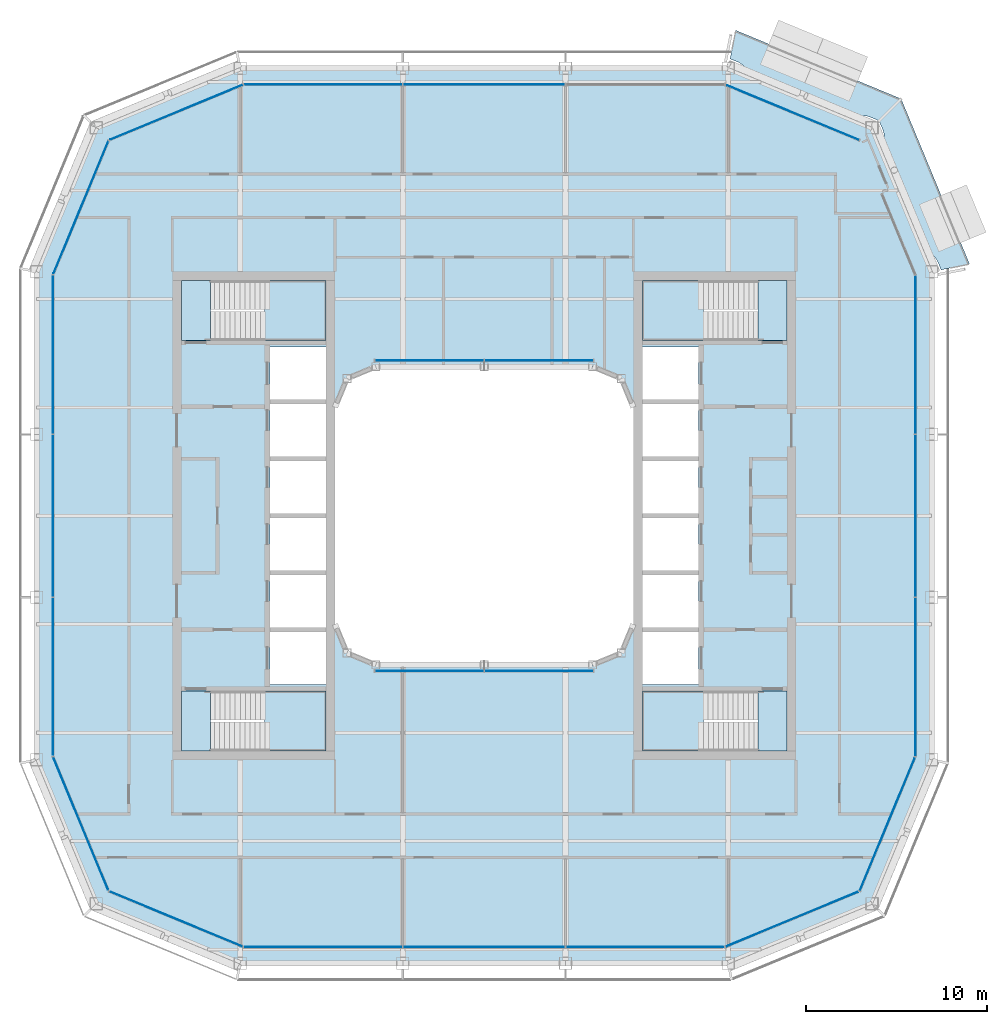
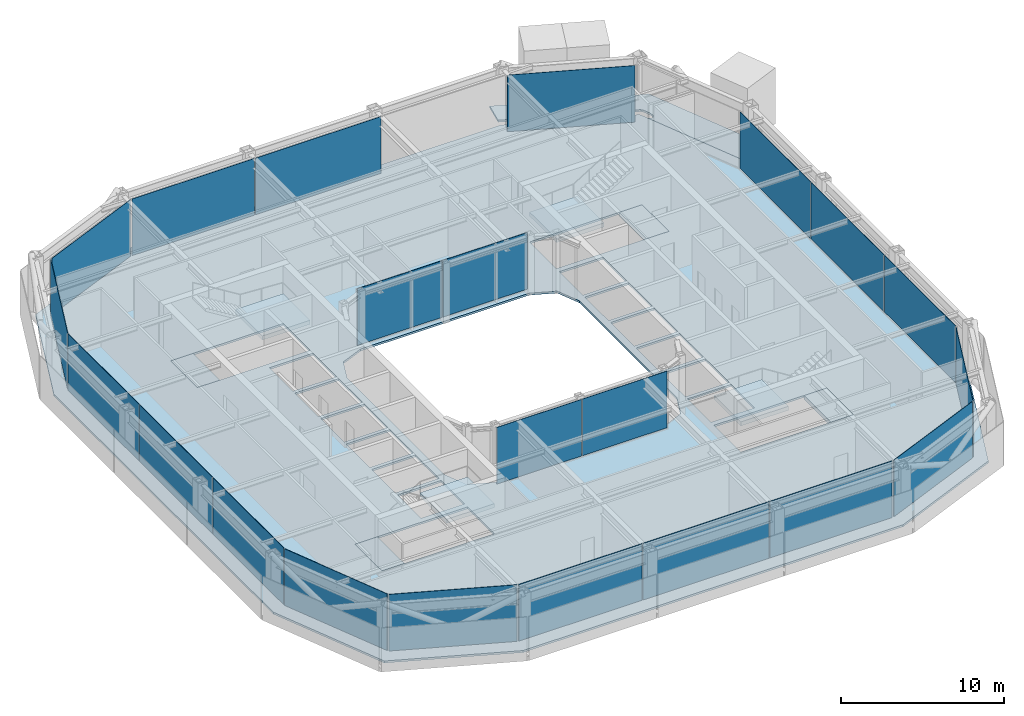
# One storey, part 10 of 21: 22 plates, 10 slabs, 17 elements without a shape of their own.
"""IFC4 building model written with IfcOpenShell, lengths in metres."""

import ifcopenshell
import ifcopenshell.guid

model = None  # the IFC model being written
_history = None  # IfcOwnerHistory: only IFC2X3 demands one
_inside = {}  # id of a spatial element -> (the spatial element, [elements in it])
_under = {}  # id of a project, library or spatial element -> (it, [spatial elements below it])
_declared = {}  # id of a project -> (the project, [libraries it declares])
_typed = {}  # id of a type object -> (the type object, [elements of that type])
_made_of = {}  # id of a material, layer set ... -> (it, [elements and type objects made of it])


def new_model(schema):
    """Start an empty IFC model of exactly this schema.

    Asked for "IFC4X3", IfcOpenShell would pick the latest addendum, in which some entities
    have other attributes; the version numbers below select the first issue.
    IFC2X3 requires an IfcOwnerHistory on every rooted entity: one is made here for all.
    """
    global model, _history
    if schema == "IFC4X3":
        model = ifcopenshell.file(schema_version=(4, 3, 0, 0))
    else:
        model = ifcopenshell.file(schema=schema)
    _inside.clear()
    _under.clear()
    _declared.clear()
    _typed.clear()
    _made_of.clear()
    _history = None
    if model.schema == "IFC2X3":
        org = make("IfcOrganization", Name="unknown")
        user = make(
            "IfcPersonAndOrganization",
            ThePerson=make("IfcPerson", FamilyName="unknown"),
            TheOrganization=org,
        )
        app = make(
            "IfcApplication",
            ApplicationDeveloper=org,
            Version="unknown",
            ApplicationFullName="unknown",
            ApplicationIdentifier="unknown",
        )
        _history = make(
            "IfcOwnerHistory",
            OwningUser=user,
            OwningApplication=app,
            ChangeAction="ADDED",
            CreationDate=0,
        )
    return model


def make(cls, **values):
    """One entity of the class cls with the attributes given. An attribute that is None is left unset."""
    return model.create_entity(
        cls, **{name: value for name, value in values.items() if value is not None}
    )


def rooted(cls, **values):
    """An entity with a GlobalId (a new one), such as an element, a storey or a relation."""
    return make(cls, GlobalId=ifcopenshell.guid.new(), OwnerHistory=_history, **values)


def si_unit(unit_type, name, prefix=None):
    """IfcSIUnit, for example si_unit("LENGTHUNIT", "METRE", prefix="MILLI")."""
    return make("IfcSIUnit", UnitType=unit_type, Prefix=prefix, Name=name)


def assignment(units):
    """IfcUnitAssignment: the units of a project."""
    return None if units is None else make("IfcUnitAssignment", Units=units)


def point(xyz):
    """IfcCartesianPoint."""
    return None if xyz is None else make("IfcCartesianPoint", Coordinates=xyz)


def direction(xyz):
    """IfcDirection."""
    return None if xyz is None else make("IfcDirection", DirectionRatios=xyz)


def frame(location, z_axis=None, x_axis=None):
    """IfcAxis2Placement3D, a coordinate frame: its origin and axes. An axis left out is left unset."""
    return make(
        "IfcAxis2Placement3D",
        Location=point(location),
        Axis=direction(z_axis),
        RefDirection=direction(x_axis),
    )


def frame_2d(location, x_axis=None):
    """IfcAxis2Placement2D, a coordinate frame in the plane: its origin and x axis."""
    return make(
        "IfcAxis2Placement2D", Location=point(location), RefDirection=direction(x_axis)
    )


def origin():
    """The frame at (0, 0, 0) with its axes left unset."""
    return frame((0.0, 0.0, 0.0))


def origin_2d():
    """The frame at (0, 0) in the plane with its x axis left unset."""
    return frame_2d((0.0, 0.0))


def place(relative_to, where):
    """IfcLocalPlacement: puts the frame where relative to a parent placement (None: the world)."""
    return make(
        "IfcLocalPlacement", PlacementRelTo=relative_to, RelativePlacement=where
    )


def context(
    kind, dimensions, precision=None, world=None, true_north=None, identifier=None
):
    """IfcGeometricRepresentationContext, for example the 3D "Model" context."""
    return make(
        "IfcGeometricRepresentationContext",
        ContextIdentifier=identifier,
        ContextType=kind,
        CoordinateSpaceDimension=dimensions,
        Precision=precision,
        WorldCoordinateSystem=world,
        TrueNorth=true_north,
    )


def subcontext(parent, identifier, kind, view, scale=None):
    """IfcGeometricRepresentationSubContext, for example "Body" below "Model"."""
    return make(
        "IfcGeometricRepresentationSubContext",
        ContextIdentifier=identifier,
        ContextType=kind,
        ParentContext=parent,
        TargetScale=scale,
        TargetView=view,
    )


def project(units=None, contexts=None):
    """IfcProject with its units and contexts."""
    return rooted(
        "IfcProject",
        Name="project",
        RepresentationContexts=contexts,
        UnitsInContext=assignment(units),
    )


def spatial(cls, under=None, at=None, **own):
    """A site, building, storey or space (cls), placed at a placement, below another one or the project."""
    s = rooted(cls, ObjectPlacement=at, **own)
    if under is not None:
        _under.setdefault(under.id(), (under, []))[1].append(s)
    return s


def polyline(points):
    """IfcPolyline through the points."""
    return make("IfcPolyline", Points=[point(p) for p in points])


def profile(cls, at=None, kind="AREA", **sizes):
    """A parametric profile (cls). Its sizes go by their IFC names, for example OverallWidth=200.0."""
    return make(cls, ProfileType=kind, Position=at, **sizes)


def rectangle(**sizes):
    """IfcRectangleProfileDef."""
    return profile("IfcRectangleProfileDef", **sizes)


def outline(outer, holes=None, kind="AREA"):
    """IfcArbitraryClosedProfileDef: a profile drawn as a closed curve; with holes, ...WithVoids."""
    if holes is None:
        return make("IfcArbitraryClosedProfileDef", ProfileType=kind, OuterCurve=outer)
    return make(
        "IfcArbitraryProfileDefWithVoids",
        ProfileType=kind,
        OuterCurve=outer,
        InnerCurves=holes,
    )


def extrude(swept, where, along, depth):
    """IfcExtrudedAreaSolid: the profile swept, set in the frame where, extruded along a direction by depth."""
    return make(
        "IfcExtrudedAreaSolid",
        SweptArea=swept,
        Position=where,
        ExtrudedDirection=direction(along),
        Depth=depth,
    )


def shape(context_of_items, identifier, shape_type, items):
    """IfcShapeRepresentation: the items that make up one representation, for example the "Body"."""
    return make(
        "IfcShapeRepresentation",
        ContextOfItems=context_of_items,
        RepresentationIdentifier=identifier,
        RepresentationType=shape_type,
        Items=items,
    )


def material(Name=None, Category=None):
    """IfcMaterial."""
    return make("IfcMaterial", Name=Name, Category=Category)


def layer(
    of_material, thickness, ventilated=None, Name=None, Category=None, Priority=None
):
    """IfcMaterialLayer: one layer of a wall or slab, of a material (None: an air gap)."""
    return make(
        "IfcMaterialLayer",
        Material=of_material,
        LayerThickness=thickness,
        IsVentilated=ventilated,
        Name=Name,
        Category=Category,
        Priority=Priority,
    )


def layer_set(layers, Name=None):
    """IfcMaterialLayerSet."""
    return make("IfcMaterialLayerSet", MaterialLayers=layers, LayerSetName=Name)


def made_of(thing, what):
    """Note that an element or type object is made of a material, layer set ...; save() writes the relation."""
    if what is not None:
        _made_of.setdefault(what.id(), (what, []))[1].append(thing)
    return thing


def type_object(cls, material=None, **own):
    """A type object (cls), such as IfcWallType, which elements share."""
    return made_of(rooted(cls, **own), material)


def element(
    cls,
    number,
    at=None,
    inside=None,
    cuts=None,
    type_object=None,
    material=None,
    context=None,
    identifier="Body",
    shape_type=None,
    held_by="IfcProductDefinitionShape",
    body=None,
    shapes=None,
    **own,
):
    """One element of the class cls, such as IfcWall. Its Tag is "e" and its number.

    at: its placement. inside: the storey or other place that contains it. cuts: it is an
    opening in that element (IfcRelVoidsElement). A single representation is given by context,
    identifier, shape_type and body (its items); several are given by shapes. held_by: the class
    of the entity that holds the representations. save() writes the other relations.
    """
    e = rooted(cls, Tag="e%d" % number, ObjectPlacement=at, **own)
    if body is not None:
        shapes = [shape(context, identifier, shape_type, body)]
    if shapes is not None:
        e.Representation = make(held_by, Representations=shapes)
    if inside is not None:
        _inside.setdefault(inside.id(), (inside, []))[1].append(e)
    if cuts is not None:
        rooted(
            "IfcRelVoidsElement", RelatingBuildingElement=cuts, RelatedOpeningElement=e
        )
    if type_object is not None:
        _typed.setdefault(type_object.id(), (type_object, []))[1].append(e)
    return made_of(e, material)


def aggregate(whole, parts):
    """IfcRelAggregates: a whole, such as a stair, and the parts it consists of."""
    return rooted("IfcRelAggregates", RelatingObject=whole, RelatedObjects=parts)


def save(model, path):
    """Write the relations noted so far, then the file.

    IfcRelAggregates (storeys below a building ...), IfcRelContainedInSpatialStructure (elements
    in a storey), IfcRelDefinesByType, IfcRelAssociatesMaterial and IfcRelDeclares: one each for
    every whole, place, type object, material and project.
    """
    for whole, parts in _under.values():
        aggregate(whole, parts)
    for where, things in _inside.values():
        rooted(
            "IfcRelContainedInSpatialStructure",
            RelatedElements=things,
            RelatingStructure=where,
        )
    for kind, things in _typed.values():
        rooted("IfcRelDefinesByType", RelatedObjects=things, RelatingType=kind)
    for what, things in _made_of.values():
        rooted("IfcRelAssociatesMaterial", RelatedObjects=things, RelatingMaterial=what)
    for by, libraries in _declared.values():
        rooted("IfcRelDeclares", RelatingContext=by, RelatedDefinitions=libraries)
    model.write(path)


model = new_model("IFC4")

# Units and contexts
model_context = context("Model", 3, precision=1e-05, world=origin(), true_north=direction((0.0, 1.0)))
body_context = subcontext(model_context, "Body", "Model", "MODEL_VIEW")
ifc_project = project(units=[si_unit("LENGTHUNIT", "METRE"), si_unit("AREAUNIT", "SQUARE_METRE"), si_unit("VOLUMEUNIT", "CUBIC_METRE"), si_unit("PLANEANGLEUNIT", "RADIAN"), si_unit("MASSUNIT", "GRAM", prefix="KILO")], contexts=[model_context])

# Site, building, storey
site_placement = place(None, origin())
site = spatial("IfcSite", under=ifc_project, at=site_placement, CompositionType="ELEMENT")
building_placement = place(site_placement, origin())
building = spatial("IfcBuilding", under=site, at=building_placement, Name="Siwar Civic Tower", CompositionType="ELEMENT")
storey_placement = place(building_placement, frame((0.0, 0.0, 325.699951171875)))
storey = spatial("IfcBuildingStorey", under=building, at=storey_placement, Name="L70", CompositionType="ELEMENT", Elevation=325.699951171875)

# Stair, slabs
ifc_material_1 = material(Name="Concrete C40/50", Category="concrete")
stair_type = type_object("IfcStairType", Name="CORE-STAIR", PredefinedType="TWO_STRAIGHT_RUN_STAIR", material=ifc_material_1)
stair_1_placement = place(storey_placement, origin())
stair_1 = element("IfcStair", 1, at=stair_1_placement, inside=storey, type_object=stair_type, Name="Exit stair ST1", PredefinedType="TWO_STRAIGHT_RUN_STAIR")
ifc_material_2 = material(Name="Concrete C40/50", Category="concrete")
ifc_layer_1 = layer(ifc_material_2, 0.300048828125)
ifc_layer_set_1 = layer_set([ifc_layer_1], Name="Concrete C40/50")
slab_type_1 = type_object("IfcSlabType", Name="CORE-STAIR-LANDING", PredefinedType="LANDING", material=ifc_layer_set_1)
slab_1_placement = place(storey_placement, frame((0.0, 0.0, -0.300048828125)))
slab_1 = element("IfcSlab", 2, at=slab_1_placement, type_object=slab_type_1, Name="ST1 landing 1", PredefinedType="LANDING", context=body_context, shape_type="SweptSolid", body=[
    extrude(outline(polyline([(-15.14990234375, 13.0), (-16.75, 13.0), (-16.75, 9.699951171875), (-15.14990234375, 9.699951171875), (-15.14990234375, 13.0)])), origin(), (0.0, 0.0, 1.0), 0.300048828125),
])
slab_2_placement = place(storey_placement, frame((0.0, 0.0, 1.949951171875)))
slab_2 = element("IfcSlab", 3, at=slab_2_placement, type_object=slab_type_1, Name="ST1 landing 2", PredefinedType="LANDING", context=body_context, shape_type="SweptSolid", body=[
    extrude(outline(polyline([(-8.75, 13.0), (-12.139892578125, 13.0), (-12.139892578125, 9.699951171875), (-8.75, 9.699951171875), (-8.75, 13.0)])), origin(), (0.0, 0.0, 1.0), 0.300048828125),
])
aggregate(stair_1, [slab_1, slab_2])

stair_2_placement = place(storey_placement, origin())
stair_2 = element("IfcStair", 4, at=stair_2_placement, inside=storey, type_object=stair_type, Name="Exit stair ST2", PredefinedType="TWO_STRAIGHT_RUN_STAIR")
slab_3_placement = place(storey_placement, frame((0.0, 0.0, -0.300048828125)))
slab_3 = element("IfcSlab", 5, at=slab_3_placement, type_object=slab_type_1, Name="ST2 landing 1", PredefinedType="LANDING", context=body_context, shape_type="SweptSolid", body=[
    extrude(outline(polyline([(-15.14990234375, -9.699951171875), (-16.75, -9.699951171875), (-16.75, -13.0), (-15.14990234375, -13.0), (-15.14990234375, -9.699951171875)])), origin(), (0.0, 0.0, 1.0), 0.300048828125),
])
slab_4_placement = place(storey_placement, frame((0.0, 0.0, 1.949951171875)))
slab_4 = element("IfcSlab", 6, at=slab_4_placement, type_object=slab_type_1, Name="ST2 landing 2", PredefinedType="LANDING", context=body_context, shape_type="SweptSolid", body=[
    extrude(outline(polyline([(-8.75, -9.699951171875), (-12.139892578125, -9.699951171875), (-12.139892578125, -13.0), (-8.75, -13.0), (-8.75, -9.699951171875)])), origin(), (0.0, 0.0, 1.0), 0.300048828125),
])
aggregate(stair_2, [slab_3, slab_4])

stair_3_placement = place(storey_placement, origin())
stair_3 = element("IfcStair", 7, at=stair_3_placement, inside=storey, type_object=stair_type, Name="Exit stair ST3", PredefinedType="TWO_STRAIGHT_RUN_STAIR")
slab_5_placement = place(storey_placement, frame((0.0, 0.0, -0.300048828125)))
slab_5 = element("IfcSlab", 8, at=slab_5_placement, type_object=slab_type_1, Name="ST3 landing 1", PredefinedType="LANDING", context=body_context, shape_type="SweptSolid", body=[
    extrude(outline(polyline([(15.14990234375, 9.699951171875), (16.75, 9.699951171875), (16.75, 13.0), (15.14990234375, 13.0), (15.14990234375, 9.699951171875)])), origin(), (0.0, 0.0, 1.0), 0.300048828125),
])
slab_6_placement = place(storey_placement, frame((0.0, 0.0, 1.949951171875)))
slab_6 = element("IfcSlab", 9, at=slab_6_placement, type_object=slab_type_1, Name="ST3 landing 2", PredefinedType="LANDING", context=body_context, shape_type="SweptSolid", body=[
    extrude(outline(polyline([(8.75, 9.699951171875), (12.139892578125, 9.699951171875), (12.139892578125, 13.0), (8.75, 13.0), (8.75, 9.699951171875)])), origin(), (0.0, 0.0, 1.0), 0.300048828125),
])
aggregate(stair_3, [slab_5, slab_6])

stair_4_placement = place(storey_placement, origin())
stair_4 = element("IfcStair", 10, at=stair_4_placement, inside=storey, type_object=stair_type, Name="Exit stair ST4", PredefinedType="TWO_STRAIGHT_RUN_STAIR")
slab_7_placement = place(storey_placement, frame((0.0, 0.0, -0.300048828125)))
slab_7 = element("IfcSlab", 11, at=slab_7_placement, type_object=slab_type_1, Name="ST4 landing 1", PredefinedType="LANDING", context=body_context, shape_type="SweptSolid", body=[
    extrude(outline(polyline([(15.14990234375, -13.0), (16.75, -13.0), (16.75, -9.699951171875), (15.14990234375, -9.699951171875), (15.14990234375, -13.0)])), origin(), (0.0, 0.0, 1.0), 0.300048828125),
])
slab_8_placement = place(storey_placement, frame((0.0, 0.0, 1.949951171875)))
slab_8 = element("IfcSlab", 12, at=slab_8_placement, type_object=slab_type_1, Name="ST4 landing 2", PredefinedType="LANDING", context=body_context, shape_type="SweptSolid", body=[
    extrude(outline(polyline([(8.75, -13.0), (12.139892578125, -13.0), (12.139892578125, -9.699951171875), (8.75, -9.699951171875), (8.75, -13.0)])), origin(), (0.0, 0.0, 1.0), 0.300048828125),
])
aggregate(stair_4, [slab_7, slab_8])

# Slab
ifc_material_3 = material(Name="Concrete C40/50", Category="concrete")
ifc_layer_2 = layer(ifc_material_3, 0.14990234375)
ifc_layer_set_2 = layer_set([ifc_layer_2], Name="Concrete C40/50")
slab_type_2 = type_object("IfcSlabType", Name="ENV-BALCONY DECK 150", PredefinedType="FLOOR", material=ifc_layer_set_2)
slab_9_placement = place(storey_placement, frame((0.0, 0.0, -0.1494140625)))
element("IfcSlab", 13, at=slab_9_placement, inside=storey, type_object=slab_type_2, Name="Tree balcony deck NE", PredefinedType="FLOOR", context=body_context, shape_type="SweptSolid", body=[
    extrude(outline(polyline([(21.88623046875, 21.743896484375), (21.888671875, 21.738525390625), (21.888671875, 21.738525390625), (21.8955078125, 21.72216796875), (21.949951171875, 21.5908203125), (22.014892578125, 21.43505859375), (22.035400390625, 21.3857421875), (22.042236328125, 21.369384765625), (22.04296875, 21.367431640625), (22.06640625, 21.306396484375), (22.068115234375, 21.3017578125), (22.0849609375, 21.247802734375), (22.086181640625, 21.243408203125), (22.099853515625, 21.1884765625), (22.101318359375, 21.181396484375), (22.108154296875, 21.134033203125), (22.1083984375, 21.1328125), (22.11572265625, 21.07666015625), (22.1162109375, 21.070068359375), (22.1162109375, 21.0634765625), (22.112060546875, 20.975830078125), (22.11083984375, 20.965087890625), (22.103271484375, 20.92578125), (22.101318359375, 20.91796875), (22.0986328125, 20.910400390625), (22.08544921875, 20.8798828125), (22.08349609375, 20.875732421875), (22.068603515625, 20.84619140625), (22.06494140625, 20.839599609375), (22.060546875, 20.833251953125), (22.055419921875, 20.82763671875), (22.03564453125, 20.80712890625), (22.030517578125, 20.802490234375), (22.02490234375, 20.798095703125), (22.01904296875, 20.794189453125), (22.0126953125, 20.791015625), (21.988525390625, 20.780029296875), (21.984375, 20.7783203125), (21.959716796875, 20.76904296875), (21.952880859375, 20.7666015625), (21.946044921875, 20.76513671875), (21.93896484375, 20.76416015625), (21.931884765625, 20.763916015625), (21.903564453125, 20.764404296875), (21.89599609375, 20.764892578125), (21.888427734375, 20.76611328125), (21.881103515625, 20.76806640625), (21.849609375, 20.778564453125), (21.845458984375, 20.780029296875), (21.814453125, 20.792236328125), (21.80712890625, 20.795654296875), (21.800048828125, 20.7998046875), (21.766845703125, 20.822021484375), (21.758544921875, 20.82861328125), (21.693359375, 20.887451171875), (21.688720703125, 20.89208984375), (21.6875, 20.8935546875), (24.516357421875, 14.063720703125), (24.51123046875, 14.103759765625), (24.5107421875, 14.1103515625), (24.5107421875, 14.116943359375), (24.514892578125, 14.20458984375), (24.51611328125, 14.21533203125), (24.523681640625, 14.254638671875), (24.525634765625, 14.262451171875), (24.5283203125, 14.27001953125), (24.54150390625, 14.300537109375), (24.54345703125, 14.3046875), (24.558349609375, 14.33447265625), (24.56201171875, 14.341064453125), (24.56640625, 14.34716796875), (24.571533203125, 14.352783203125), (24.591064453125, 14.373291015625), (24.596435546875, 14.378173828125), (24.601806640625, 14.382568359375), (24.60791015625, 14.38623046875), (24.6142578125, 14.389404296875), (24.638427734375, 14.400390625), (24.642578125, 14.402099609375), (24.667236328125, 14.41162109375), (24.674072265625, 14.413818359375), (24.680908203125, 14.415283203125), (24.68798828125, 14.416259765625), (24.695068359375, 14.41650390625), (24.723388671875, 14.416015625), (24.73095703125, 14.41552734375), (24.738525390625, 14.414306640625), (24.745849609375, 14.412353515625), (24.77734375, 14.402099609375), (24.781494140625, 14.400634765625), (24.8125, 14.388427734375), (24.81982421875, 14.385009765625), (24.82666015625, 14.380859375), (24.860107421875, 14.3583984375), (24.868408203125, 14.351806640625), (24.93359375, 14.29296875), (24.938232421875, 14.288330078125), (24.942626953125, 14.283203125), (24.977294921875, 14.238525390625), (24.97802734375, 14.237548828125), (25.006591796875, 14.19921875), (25.0107421875, 14.193115234375), (25.0400390625, 14.144775390625), (25.042236328125, 14.140869140625), (25.068603515625, 14.0908203125), (25.07080078125, 14.08642578125), (25.09765625, 14.02685546875), (25.098388671875, 14.02490234375), (25.101806640625, 14.0166015625), (25.118896484375, 13.9755859375), (25.194091796875, 13.795166015625), (25.22802734375, 13.713134765625), (25.24169921875, 13.68017578125), (25.251953125, 13.65576171875), (25.251953125, 13.65576171875), (25.251953125, 13.65576171875), (25.251953125, 13.65576171875), (25.251953125, 13.65576171875), (25.2548828125, 13.64794921875), (25.25927734375, 13.632568359375), (25.260986328125, 13.625), (25.26220703125, 13.616943359375), (25.26318359375, 13.60205078125), (26.85009765625, 13.917724609375), (23.062255859375, 23.062255859375), (13.917724609375, 26.85009765625), (13.6015625, 25.2607421875), (13.61376953125, 25.2607421875), (13.620361328125, 25.2607421875), (13.627197265625, 25.259765625), (13.6337890625, 25.258544921875), (13.6455078125, 25.25537109375), (13.65576171875, 25.251953125), (13.68017578125, 25.24169921875), (13.713134765625, 25.22802734375), (13.795166015625, 25.194091796875), (13.9755859375, 25.118896484375), (14.0166015625, 25.101806640625), (14.02490234375, 25.098388671875), (14.02685546875, 25.09765625), (14.08642578125, 25.07080078125), (14.0908203125, 25.068603515625), (14.140869140625, 25.042236328125), (14.144775390625, 25.0400390625), (14.193115234375, 25.0107421875), (14.19921875, 25.006591796875), (14.237548828125, 24.97802734375), (14.238525390625, 24.977294921875), (14.283203125, 24.942626953125), (14.288330078125, 24.938232421875), (14.29296875, 24.93359375), (14.351806640625, 24.868408203125), (14.3583984375, 24.860107421875), (14.380859375, 24.82666015625), (14.385009765625, 24.81982421875), (14.388427734375, 24.8125), (14.400634765625, 24.781494140625), (14.402099609375, 24.77734375), (14.412353515625, 24.745849609375), (14.414306640625, 24.738525390625), (14.41552734375, 24.73095703125), (14.416015625, 24.723388671875), (14.41650390625, 24.695068359375), (14.416259765625, 24.68798828125), (14.415283203125, 24.680908203125), (14.413818359375, 24.674072265625), (14.41162109375, 24.667236328125), (14.402099609375, 24.642578125), (14.400390625, 24.638427734375), (14.389404296875, 24.6142578125), (14.38623046875, 24.60791015625), (14.382568359375, 24.601806640625), (14.378173828125, 24.596435546875), (14.373291015625, 24.591064453125), (14.352783203125, 24.571533203125), (14.34716796875, 24.56640625), (14.341064453125, 24.56201171875), (14.33447265625, 24.558349609375), (14.3046875, 24.54345703125), (14.300537109375, 24.54150390625), (14.27001953125, 24.5283203125), (14.262451171875, 24.525634765625), (14.254638671875, 24.523681640625), (14.21533203125, 24.51611328125), (14.20458984375, 24.514892578125), (14.116943359375, 24.5107421875), (14.1103515625, 24.5107421875), (14.103759765625, 24.51123046875), (14.063720703125, 24.516357421875), (20.8935546875, 21.6875), (20.89208984375, 21.688720703125), (20.887451171875, 21.693359375), (20.82861328125, 21.758544921875), (20.822021484375, 21.766845703125), (20.7998046875, 21.800048828125), (20.795654296875, 21.80712890625), (20.792236328125, 21.814453125), (20.780029296875, 21.845458984375), (20.778564453125, 21.849609375), (20.76806640625, 21.881103515625), (20.76611328125, 21.888427734375), (20.764892578125, 21.89599609375), (20.764404296875, 21.903564453125), (20.763916015625, 21.931884765625), (20.76416015625, 21.93896484375), (20.76513671875, 21.946044921875), (20.7666015625, 21.952880859375), (20.76904296875, 21.959716796875), (20.7783203125, 21.984375), (20.780029296875, 21.988525390625), (20.791015625, 22.0126953125), (20.794189453125, 22.01904296875), (20.798095703125, 22.02490234375), (20.802490234375, 22.030517578125), (20.80712890625, 22.03564453125), (20.82763671875, 22.055419921875), (20.833251953125, 22.060546875), (20.839599609375, 22.06494140625), (20.84619140625, 22.068603515625), (20.875732421875, 22.08349609375), (20.8798828125, 22.08544921875), (20.910400390625, 22.0986328125), (20.91796875, 22.101318359375), (20.92578125, 22.103271484375), (20.965087890625, 22.11083984375), (20.975830078125, 22.112060546875), (21.0634765625, 22.1162109375), (21.070068359375, 22.1162109375), (21.07666015625, 22.11572265625), (21.1328125, 22.1083984375), (21.134033203125, 22.108154296875), (21.181396484375, 22.101318359375), (21.1884765625, 22.099853515625), (21.243408203125, 22.086181640625), (21.247802734375, 22.0849609375), (21.3017578125, 22.068115234375), (21.306396484375, 22.06640625), (21.367431640625, 22.04296875), (21.369384765625, 22.042236328125), (21.3857421875, 22.035400390625), (21.43505859375, 22.014892578125), (21.5908203125, 21.949951171875), (21.656494140625, 21.922607421875), (21.72216796875, 21.8955078125), (21.738525390625, 21.888671875), (21.748046875, 21.8837890625), (21.7587890625, 21.87744140625), (21.76416015625, 21.873779296875), (21.76953125, 21.86962890625), (21.7744140625, 21.864990234375), (21.783447265625, 21.855712890625), (21.7880859375, 21.850341796875), (21.78857421875, 21.849609375), (21.7890625, 21.84912109375), (21.7890625, 21.848876953125), (21.794189453125, 21.8466796875), (21.800537109375, 21.84326171875), (21.806396484375, 21.839111328125), (21.8251953125, 21.82470703125), (21.833251953125, 21.817626953125), (21.849365234375, 21.801025390625), (21.85302734375, 21.796875), (21.856689453125, 21.79248046875), (21.869873046875, 21.77392578125), (21.873046875, 21.76904296875), (21.875732421875, 21.76416015625), (21.88623046875, 21.743896484375)])), origin(), (0.0, 0.0, 1.0), 0.1494140625),
])

# Curtain wall, plates
ifc_material_4 = material(Name="Aluminium and glass", Category="aluminium")
ifc_layer_3 = layer(ifc_material_4, 0.159912109375)
ifc_layer_set_3 = layer_set([ifc_layer_3], Name="Aluminium and glass")
curtain_wall_type_1 = type_object("IfcCurtainWallType", Name="ENV-CW-D", PredefinedType="NOTDEFINED", material=ifc_layer_set_3)
curtain_wall_1_placement = place(storey_placement, origin())
curtain_wall_1 = element("IfcCurtainWall", 14, at=curtain_wall_1_placement, inside=storey, type_object=curtain_wall_type_1, Name="Curtain wall D S", PredefinedType="NOTDEFINED")
ifc_material_5 = material(Name="Glass clear laminated", Category="glass")
ifc_layer_4 = layer(ifc_material_5, 0.030029296875)
ifc_layer_set_4 = layer_set([ifc_layer_4], Name="Glass clear laminated")
plate_type_1 = type_object("IfcPlateType", Name="ENV-PANEL-D", PredefinedType="CURTAIN_PANEL", material=ifc_layer_set_4)
plate_1_placement = place(storey_placement, frame((-8.910400390625, -23.85009765625, 0.10009765625), z_axis=(0.0, 0.0, 1.0), x_axis=(1.0, 0.0, 0.0)))
plate_1 = element("IfcPlate", 15, at=plate_1_placement, type_object=plate_type_1, Name="Curtain panel D S 1", PredefinedType="CURTAIN_PANEL", context=body_context, shape_type="SweptSolid", body=[
    extrude(rectangle(XDim=8.760986328125, YDim=0.030029296875, at=origin_2d()), origin(), (0.0, 0.0, 1.0), 4.25),
])
plate_2_placement = place(storey_placement, frame((0.0, -23.85009765625, 0.10009765625), z_axis=(0.0, 0.0, 1.0), x_axis=(1.0, 0.0, 0.0)))
plate_2 = element("IfcPlate", 16, at=plate_2_placement, type_object=plate_type_1, Name="Curtain panel D S 2", PredefinedType="CURTAIN_PANEL", context=body_context, shape_type="SweptSolid", body=[
    extrude(rectangle(XDim=8.93994140625, YDim=0.030029296875, at=origin_2d()), origin(), (0.0, 0.0, 1.0), 4.25),
])
plate_3_placement = place(storey_placement, frame((8.876708984375, -23.85009765625, 0.10009765625), z_axis=(0.0, 0.0, 1.0), x_axis=(1.0, 0.0, 0.0)))
plate_3 = element("IfcPlate", 17, at=plate_3_placement, type_object=plate_type_1, Name="Curtain panel D S 3", PredefinedType="CURTAIN_PANEL", context=body_context, shape_type="SweptSolid", body=[
    extrude(rectangle(XDim=8.693115234375, YDim=0.030029296875, at=origin_2d()), origin(), (0.0, 0.0, 1.0), 4.25),
])
aggregate(curtain_wall_1, [plate_1, plate_2, plate_3])

curtain_wall_2_placement = place(storey_placement, origin())
curtain_wall_2 = element("IfcCurtainWall", 18, at=curtain_wall_2_placement, inside=storey, type_object=curtain_wall_type_1, Name="Curtain wall D E", PredefinedType="NOTDEFINED")
plate_4_placement = place(storey_placement, frame((23.85009765625, -8.910400390625, 0.10009765625), z_axis=(0.0, 0.0, 1.0), x_axis=(0.0, 1.0, 0.0)))
plate_4 = element("IfcPlate", 19, at=plate_4_placement, type_object=plate_type_1, Name="Curtain panel D E 1", PredefinedType="CURTAIN_PANEL", context=body_context, shape_type="SweptSolid", body=[
    extrude(rectangle(XDim=8.760986328125, YDim=0.030029296875, at=origin_2d()), origin(), (0.0, 0.0, 1.0), 4.25),
])
plate_5_placement = place(storey_placement, frame((23.85009765625, 0.0, 0.10009765625), z_axis=(0.0, 0.0, 1.0), x_axis=(0.0, 1.0, 0.0)))
plate_5 = element("IfcPlate", 20, at=plate_5_placement, type_object=plate_type_1, Name="Curtain panel D E 2", PredefinedType="CURTAIN_PANEL", context=body_context, shape_type="SweptSolid", body=[
    extrude(rectangle(XDim=8.93994140625, YDim=0.030029296875, at=origin_2d()), origin(), (0.0, 0.0, 1.0), 4.25),
])
plate_6_placement = place(storey_placement, frame((23.85009765625, 8.876708984375, 0.10009765625), z_axis=(0.0, 0.0, 1.0), x_axis=(0.0, 1.0, 0.0)))
plate_6 = element("IfcPlate", 21, at=plate_6_placement, type_object=plate_type_1, Name="Curtain panel D E 3", PredefinedType="CURTAIN_PANEL", context=body_context, shape_type="SweptSolid", body=[
    extrude(rectangle(XDim=8.693115234375, YDim=0.030029296875, at=origin_2d()), origin(), (0.0, 0.0, 1.0), 4.25),
])
aggregate(curtain_wall_2, [plate_4, plate_5, plate_6])

curtain_wall_3_placement = place(storey_placement, origin())
curtain_wall_3 = element("IfcCurtainWall", 22, at=curtain_wall_3_placement, inside=storey, type_object=curtain_wall_type_1, Name="Curtain wall D N", PredefinedType="NOTDEFINED")
plate_7_placement = place(storey_placement, frame((0.0, 23.85009765625, 0.10009765625), z_axis=(0.0, 0.0, 1.0), x_axis=(-1.0, 0.0, 0.0)))
plate_7 = element("IfcPlate", 23, at=plate_7_placement, type_object=plate_type_1, Name="Curtain panel D N 2", PredefinedType="CURTAIN_PANEL", context=body_context, shape_type="SweptSolid", body=[
    extrude(rectangle(XDim=8.93994140625, YDim=0.030029296875, at=origin_2d()), origin(), (0.0, 0.0, 1.0), 4.25),
])
plate_8_placement = place(storey_placement, frame((-8.876708984375, 23.85009765625, 0.10009765625), z_axis=(0.0, 0.0, 1.0), x_axis=(-1.0, 0.0, 0.0)))
plate_8 = element("IfcPlate", 24, at=plate_8_placement, type_object=plate_type_1, Name="Curtain panel D N 3", PredefinedType="CURTAIN_PANEL", context=body_context, shape_type="SweptSolid", body=[
    extrude(rectangle(XDim=8.693115234375, YDim=0.030029296875, at=origin_2d()), origin(), (0.0, 0.0, 1.0), 4.25),
])
aggregate(curtain_wall_3, [plate_7, plate_8])

curtain_wall_4_placement = place(storey_placement, origin())
curtain_wall_4 = element("IfcCurtainWall", 25, at=curtain_wall_4_placement, inside=storey, type_object=curtain_wall_type_1, Name="Curtain wall D W", PredefinedType="NOTDEFINED")
plate_9_placement = place(storey_placement, frame((-23.85009765625, 8.910400390625, 0.10009765625), z_axis=(0.0, 0.0, 1.0), x_axis=(0.0, -1.0, 0.0)))
plate_9 = element("IfcPlate", 26, at=plate_9_placement, type_object=plate_type_1, Name="Curtain panel D W 1", PredefinedType="CURTAIN_PANEL", context=body_context, shape_type="SweptSolid", body=[
    extrude(rectangle(XDim=8.760986328125, YDim=0.030029296875, at=origin_2d()), origin(), (0.0, 0.0, 1.0), 4.25),
])
plate_10_placement = place(storey_placement, frame((-23.85009765625, 0.0, 0.10009765625), z_axis=(0.0, 0.0, 1.0), x_axis=(0.0, -1.0, 0.0)))
plate_10 = element("IfcPlate", 27, at=plate_10_placement, type_object=plate_type_1, Name="Curtain panel D W 2", PredefinedType="CURTAIN_PANEL", context=body_context, shape_type="SweptSolid", body=[
    extrude(rectangle(XDim=8.93994140625, YDim=0.030029296875, at=origin_2d()), origin(), (0.0, 0.0, 1.0), 4.25),
])
plate_11_placement = place(storey_placement, frame((-23.85009765625, -8.876708984375, 0.10009765625), z_axis=(0.0, 0.0, 1.0), x_axis=(0.0, -1.0, 0.0)))
plate_11 = element("IfcPlate", 28, at=plate_11_placement, type_object=plate_type_1, Name="Curtain panel D W 3", PredefinedType="CURTAIN_PANEL", context=body_context, shape_type="SweptSolid", body=[
    extrude(rectangle(XDim=8.693115234375, YDim=0.030029296875, at=origin_2d()), origin(), (0.0, 0.0, 1.0), 4.25),
])
aggregate(curtain_wall_4, [plate_9, plate_10, plate_11])

# Curtain wall, plate
ifc_material_6 = material(Name="Aluminium clad insulated panel", Category="aluminium")
ifc_layer_5 = layer(ifc_material_6, 0.159912109375)
ifc_layer_set_5 = layer_set([ifc_layer_5], Name="Aluminium clad insulated panel")
curtain_wall_type_2 = type_object("IfcCurtainWallType", Name="ENV-CW-DX", PredefinedType="NOTDEFINED", material=ifc_layer_set_5)
curtain_wall_5_placement = place(storey_placement, origin())
curtain_wall_5 = element("IfcCurtainWall", 29, at=curtain_wall_5_placement, inside=storey, type_object=curtain_wall_type_2, Name="Curtain wall D SE1", PredefinedType="NOTDEFINED")
ifc_material_7 = material(Name="Aluminium clad insulated panel", Category="aluminium")
ifc_layer_6 = layer(ifc_material_7, 0.030029296875)
ifc_layer_set_6 = layer_set([ifc_layer_6], Name="Aluminium clad insulated panel")
plate_type_2 = type_object("IfcPlateType", Name="ENV-PANEL-DX", PredefinedType="CURTAIN_PANEL", material=ifc_layer_set_6)
plate_12_placement = place(storey_placement, frame((17.01220703125, -22.321044921875, 0.10009765625), z_axis=(0.0, 0.0, 1.0), x_axis=(0.923879532511, 0.382683432365, 0.0)))
plate_12 = element("IfcPlate", 30, at=plate_12_placement, type_object=plate_type_2, Name="Curtain panel D SE1 1", PredefinedType="CURTAIN_PANEL", context=body_context, shape_type="SweptSolid", body=[
    extrude(rectangle(XDim=7.9306640625, YDim=0.030029296875, at=origin_2d()), origin(), (0.0, 0.0, 1.0), 4.25),
])
aggregate(curtain_wall_5, [plate_12])

curtain_wall_6_placement = place(storey_placement, origin())
curtain_wall_6 = element("IfcCurtainWall", 31, at=curtain_wall_6_placement, inside=storey, type_object=curtain_wall_type_2, Name="Curtain wall D SE2", PredefinedType="NOTDEFINED")
plate_13_placement = place(storey_placement, frame((22.295166015625, -17.074951171875, 0.10009765625), z_axis=(0.0, 0.0, 1.0), x_axis=(0.382683432365, 0.923879532511, 0.0)))
plate_13 = element("IfcPlate", 32, at=plate_13_placement, type_object=plate_type_2, Name="Curtain panel D SE2 1", PredefinedType="CURTAIN_PANEL", context=body_context, shape_type="SweptSolid", body=[
    extrude(rectangle(XDim=7.9306640625, YDim=0.030029296875, at=origin_2d()), origin(), (0.0, 0.0, 1.0), 4.25),
])
aggregate(curtain_wall_6, [plate_13])

curtain_wall_7_placement = place(storey_placement, origin())
curtain_wall_7 = element("IfcCurtainWall", 33, at=curtain_wall_7_placement, inside=storey, type_object=curtain_wall_type_2, Name="Curtain wall D NE2", PredefinedType="NOTDEFINED")
plate_14_placement = place(storey_placement, frame((17.074951171875, 22.295166015625, 0.10009765625), z_axis=(0.0, 0.0, 1.0), x_axis=(-0.923879532511, 0.382683432365, 0.0)))
plate_14 = element("IfcPlate", 34, at=plate_14_placement, type_object=plate_type_2, Name="Curtain panel D NE2 1", PredefinedType="CURTAIN_PANEL", context=body_context, shape_type="SweptSolid", body=[
    extrude(rectangle(XDim=7.9306640625, YDim=0.030029296875, at=origin_2d()), origin(), (0.0, 0.0, 1.0), 4.25),
])
aggregate(curtain_wall_7, [plate_14])

curtain_wall_8_placement = place(storey_placement, origin())
curtain_wall_8 = element("IfcCurtainWall", 35, at=curtain_wall_8_placement, inside=storey, type_object=curtain_wall_type_2, Name="Curtain wall D NW1", PredefinedType="NOTDEFINED")
plate_15_placement = place(storey_placement, frame((-17.01220703125, 22.321044921875, 0.10009765625), z_axis=(0.0, 0.0, 1.0), x_axis=(-0.923879532511, -0.382683432365, 0.0)))
plate_15 = element("IfcPlate", 36, at=plate_15_placement, type_object=plate_type_2, Name="Curtain panel D NW1 1", PredefinedType="CURTAIN_PANEL", context=body_context, shape_type="SweptSolid", body=[
    extrude(rectangle(XDim=7.9306640625, YDim=0.030029296875, at=origin_2d()), origin(), (0.0, 0.0, 1.0), 4.25),
])
aggregate(curtain_wall_8, [plate_15])

curtain_wall_9_placement = place(storey_placement, origin())
curtain_wall_9 = element("IfcCurtainWall", 37, at=curtain_wall_9_placement, inside=storey, type_object=curtain_wall_type_2, Name="Curtain wall D NW2", PredefinedType="NOTDEFINED")
plate_16_placement = place(storey_placement, frame((-22.295166015625, 17.074951171875, 0.10009765625), z_axis=(0.0, 0.0, 1.0), x_axis=(-0.382683432365, -0.923879532511, 0.0)))
plate_16 = element("IfcPlate", 38, at=plate_16_placement, type_object=plate_type_2, Name="Curtain panel D NW2 1", PredefinedType="CURTAIN_PANEL", context=body_context, shape_type="SweptSolid", body=[
    extrude(rectangle(XDim=7.9306640625, YDim=0.030029296875, at=origin_2d()), origin(), (0.0, 0.0, 1.0), 4.25),
])
aggregate(curtain_wall_9, [plate_16])

curtain_wall_10_placement = place(storey_placement, origin())
curtain_wall_10 = element("IfcCurtainWall", 39, at=curtain_wall_10_placement, inside=storey, type_object=curtain_wall_type_2, Name="Curtain wall D SW1", PredefinedType="NOTDEFINED")
plate_17_placement = place(storey_placement, frame((-22.321044921875, -17.01220703125, 0.10009765625), z_axis=(0.0, 0.0, 1.0), x_axis=(0.382683432365, -0.923879532511, 0.0)))
plate_17 = element("IfcPlate", 40, at=plate_17_placement, type_object=plate_type_2, Name="Curtain panel D SW1 1", PredefinedType="CURTAIN_PANEL", context=body_context, shape_type="SweptSolid", body=[
    extrude(rectangle(XDim=7.9306640625, YDim=0.030029296875, at=origin_2d()), origin(), (0.0, 0.0, 1.0), 4.25),
])
aggregate(curtain_wall_10, [plate_17])

curtain_wall_11_placement = place(storey_placement, origin())
curtain_wall_11 = element("IfcCurtainWall", 41, at=curtain_wall_11_placement, inside=storey, type_object=curtain_wall_type_2, Name="Curtain wall D SW2", PredefinedType="NOTDEFINED")
plate_18_placement = place(storey_placement, frame((-17.074951171875, -22.295166015625, 0.10009765625), z_axis=(0.0, 0.0, 1.0), x_axis=(0.923879532511, -0.382683432365, 0.0)))
plate_18 = element("IfcPlate", 42, at=plate_18_placement, type_object=plate_type_2, Name="Curtain panel D SW2 1", PredefinedType="CURTAIN_PANEL", context=body_context, shape_type="SweptSolid", body=[
    extrude(rectangle(XDim=7.9306640625, YDim=0.030029296875, at=origin_2d()), origin(), (0.0, 0.0, 1.0), 4.25),
])
aggregate(curtain_wall_11, [plate_18])

# Curtain wall, plates
ifc_material_8 = material(Name="Aluminium and glass", Category="aluminium")
ifc_layer_7 = layer(ifc_material_8, 0.179931640625)
ifc_layer_set_7 = layer_set([ifc_layer_7], Name="Aluminium and glass")
curtain_wall_type_3 = type_object("IfcCurtainWallType", Name="ENV-CW-W", PredefinedType="NOTDEFINED", material=ifc_layer_set_7)
curtain_wall_12_placement = place(storey_placement, origin())
curtain_wall_12 = element("IfcCurtainWall", 43, at=curtain_wall_12_placement, inside=storey, type_object=curtain_wall_type_3, Name="Curtain wall W WS", PredefinedType="NOTDEFINED")
ifc_material_9 = material(Name="Glass clear laminated", Category="glass")
ifc_layer_8 = layer(ifc_material_9, 0.031982421875)
ifc_layer_set_8 = layer_set([ifc_layer_8], Name="Glass clear laminated")
plate_type_3 = type_object("IfcPlateType", Name="ENV-PANEL-W", PredefinedType="CURTAIN_PANEL", material=ifc_layer_set_8)
plate_19_placement = place(storey_placement, frame((-3.033203125, -8.5849609375, 0.10009765625), z_axis=(0.0, 0.0, 1.0), x_axis=(1.0, 0.0, 0.0)))
plate_19 = element("IfcPlate", 44, at=plate_19_placement, type_object=plate_type_3, Name="Curtain panel W WS 1", PredefinedType="CURTAIN_PANEL", context=body_context, shape_type="SweptSolid", body=[
    extrude(rectangle(XDim=6.006591796875, YDim=0.031982421875, at=origin_2d()), origin(), (0.0, 0.0, 1.0), 4.25),
])
plate_20_placement = place(storey_placement, frame((3.033203125, -8.5849609375, 0.10009765625), z_axis=(0.0, 0.0, 1.0), x_axis=(1.0, 0.0, 0.0)))
plate_20 = element("IfcPlate", 45, at=plate_20_placement, type_object=plate_type_3, Name="Curtain panel W WS 2", PredefinedType="CURTAIN_PANEL", context=body_context, shape_type="SweptSolid", body=[
    extrude(rectangle(XDim=6.006591796875, YDim=0.031982421875, at=origin_2d()), origin(), (0.0, 0.0, 1.0), 4.25),
])
aggregate(curtain_wall_12, [plate_19, plate_20])

curtain_wall_13_placement = place(storey_placement, origin())
curtain_wall_13 = element("IfcCurtainWall", 46, at=curtain_wall_13_placement, inside=storey, type_object=curtain_wall_type_3, Name="Curtain wall W WN", PredefinedType="NOTDEFINED")
plate_21_placement = place(storey_placement, frame((3.033203125, 8.5849609375, 0.10009765625), z_axis=(0.0, 0.0, 1.0), x_axis=(-1.0, 0.0, 0.0)))
plate_21 = element("IfcPlate", 47, at=plate_21_placement, type_object=plate_type_3, Name="Curtain panel W WN 1", PredefinedType="CURTAIN_PANEL", context=body_context, shape_type="SweptSolid", body=[
    extrude(rectangle(XDim=6.006591796875, YDim=0.031982421875, at=origin_2d()), origin(), (0.0, 0.0, 1.0), 4.25),
])
plate_22_placement = place(storey_placement, frame((-3.033203125, 8.5849609375, 0.10009765625), z_axis=(0.0, 0.0, 1.0), x_axis=(-1.0, 0.0, 0.0)))
plate_22 = element("IfcPlate", 48, at=plate_22_placement, type_object=plate_type_3, Name="Curtain panel W WN 2", PredefinedType="CURTAIN_PANEL", context=body_context, shape_type="SweptSolid", body=[
    extrude(rectangle(XDim=6.006591796875, YDim=0.031982421875, at=origin_2d()), origin(), (0.0, 0.0, 1.0), 4.25),
])
aggregate(curtain_wall_13, [plate_21, plate_22])

# Slab
ifc_material_10 = material(Name="Concrete C40/50", Category="concrete")
ifc_layer_9 = layer(ifc_material_10, 0.14990234375)
ifc_layer_set_9 = layer_set([ifc_layer_9], Name="Concrete C40/50")
slab_type_3 = type_object("IfcSlabType", Name="STR-FLOOR-DECK-150", PredefinedType="FLOOR", material=ifc_layer_set_9)
slab_10_placement = place(storey_placement, frame((0.0, 0.0, -0.14990234375)))
element("IfcSlab", 49, at=slab_10_placement, inside=storey, type_object=slab_type_3, Name="L70/slab/1", PredefinedType="FLOOR", context=body_context, shape_type="SweptSolid", body=[
    extrude(outline(polyline([(-13.5, -24.75), (13.5, -24.75), (21.454833984375, -21.454833984375), (24.75, -13.5), (24.75, 13.5), (21.454833984375, 21.454833984375), (13.5, 24.75), (-13.5, 24.75), (-21.454833984375, 21.454833984375), (-24.75, 13.5), (-24.75, -13.5), (-21.454833984375, -21.454833984375), (-13.5, -24.75)]), holes=[polyline([(16.75, 13.0), (16.75, 9.699951171875), (8.75, 9.699951171875), (8.75, 13.0), (16.75, 13.0)]), polyline([(8.75, -9.699951171875), (16.75, -9.699951171875), (16.75, -13.0), (8.75, -13.0), (8.75, -9.699951171875)]), polyline([(11.85009765625, 9.324951171875), (11.85009765625, 6.425048828125), (8.75, 6.425048828125), (8.75, 9.324951171875), (11.85009765625, 9.324951171875)]), polyline([(8.75, 6.175048828125), (11.85009765625, 6.175048828125), (11.85009765625, 3.27490234375), (8.75, 3.27490234375), (8.75, 6.175048828125)]), polyline([(8.75, 3.02490234375), (11.85009765625, 3.02490234375), (11.85009765625, 0.125), (8.75, 0.125), (8.75, 3.02490234375)]), polyline([(8.75, -0.125), (11.85009765625, -0.125), (11.85009765625, -3.02490234375), (8.75, -3.02490234375), (8.75, -0.125)]), polyline([(8.75, -3.27490234375), (11.85009765625, -3.27490234375), (11.85009765625, -6.175048828125), (8.75, -6.175048828125), (8.75, -3.27490234375)]), polyline([(8.75, -6.425048828125), (11.85009765625, -6.425048828125), (11.85009765625, -9.324951171875), (8.75, -9.324951171875), (8.75, -6.425048828125)]), polyline([(-6.0, 8.25), (6.0, 8.25), (7.591064453125, 7.591064453125), (8.25, 6.0), (8.25, -6.0), (7.591064453125, -7.591064453125), (6.0, -8.25), (-6.0, -8.25), (-7.591064453125, -7.591064453125), (-8.25, -6.0), (-8.25, 6.0), (-7.591064453125, 7.591064453125), (-6.0, 8.25)]), polyline([(-8.75, -13.0), (-16.75, -13.0), (-16.75, -9.699951171875), (-8.75, -9.699951171875), (-8.75, -13.0)]), polyline([(-8.75, 9.699951171875), (-16.75, 9.699951171875), (-16.75, 13.0), (-8.75, 13.0), (-8.75, 9.699951171875)]), polyline([(-8.75, 6.425048828125), (-11.85009765625, 6.425048828125), (-11.85009765625, 9.324951171875), (-8.75, 9.324951171875), (-8.75, 6.425048828125)]), polyline([(-8.75, 3.27490234375), (-11.85009765625, 3.27490234375), (-11.85009765625, 6.175048828125), (-8.75, 6.175048828125), (-8.75, 3.27490234375)]), polyline([(-8.75, 0.125), (-11.85009765625, 0.125), (-11.85009765625, 3.02490234375), (-8.75, 3.02490234375), (-8.75, 0.125)]), polyline([(-8.75, -3.02490234375), (-11.85009765625, -3.02490234375), (-11.85009765625, -0.125), (-8.75, -0.125), (-8.75, -3.02490234375)]), polyline([(-8.75, -6.175048828125), (-11.85009765625, -6.175048828125), (-11.85009765625, -3.27490234375), (-8.75, -3.27490234375), (-8.75, -6.175048828125)]), polyline([(-8.75, -9.324951171875), (-11.85009765625, -9.324951171875), (-11.85009765625, -6.425048828125), (-8.75, -6.425048828125), (-8.75, -9.324951171875)])]), origin(), (0.0, 0.0, 1.0), 0.14990234375),
])

save(model, "model.ifc")
